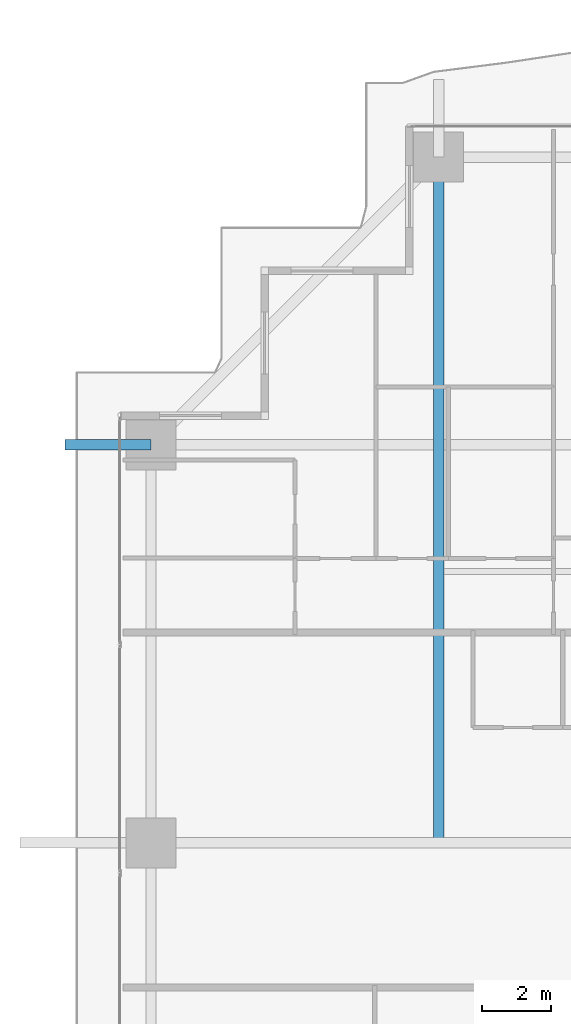
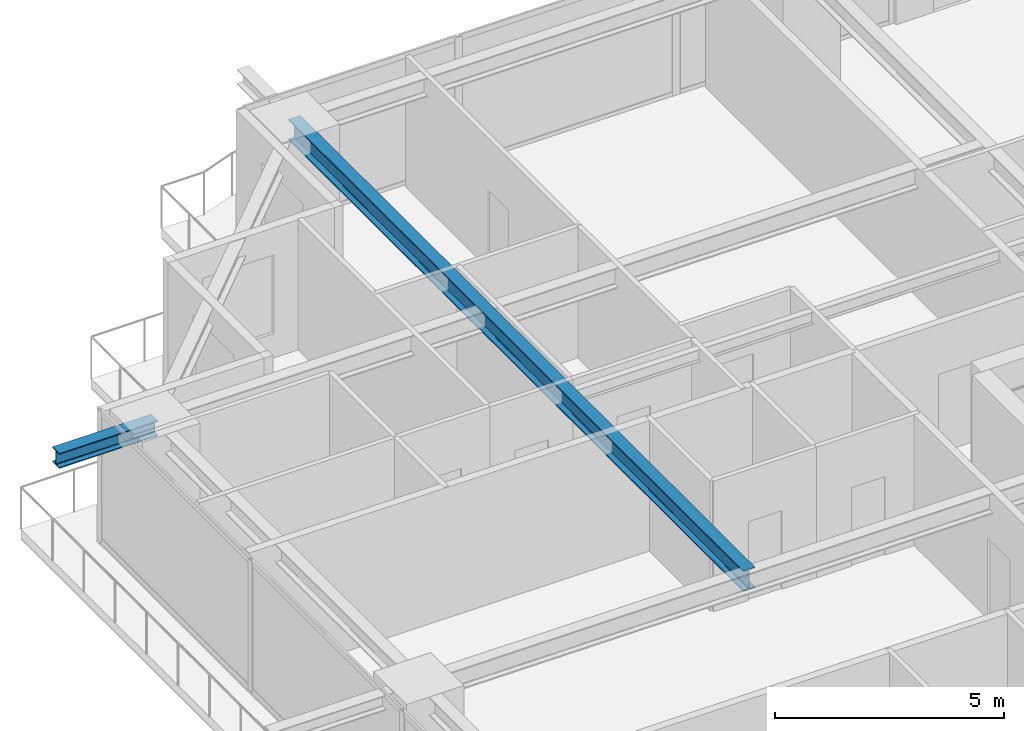
# One storey, part 17 of 38: 2 beams.
"""IFC4 building model written with IfcOpenShell, lengths in metres."""

from ifc_helpers import new_model, si_unit, direction, frame, origin, origin_2d, place, context, subcontext, project, spatial, i_section, extrude, source, transform, mapped, material, material_profile, profile_set, type_object, element, save


model = new_model("IFC4")

# Units and contexts
model_context = context("Model", 3, precision=1e-05, world=origin(), true_north=direction((0.0, 1.0)))
body_context = subcontext(model_context, "Body", "Model", "MODEL_VIEW")
ifc_project = project(units=[si_unit("LENGTHUNIT", "METRE"), si_unit("AREAUNIT", "SQUARE_METRE"), si_unit("VOLUMEUNIT", "CUBIC_METRE"), si_unit("PLANEANGLEUNIT", "RADIAN"), si_unit("MASSUNIT", "GRAM", prefix="KILO")], contexts=[model_context])

# Site, building, storey
site_placement = place(None, origin())
site = spatial("IfcSite", under=ifc_project, at=site_placement, CompositionType="ELEMENT")
building_placement = place(site_placement, origin())
building = spatial("IfcBuilding", under=site, at=building_placement, Name="Serunith Strait Residences", CompositionType="ELEMENT")
storey_placement = place(building_placement, frame((0.0, 0.0, 37.949951171875)))
storey = spatial("IfcBuildingStorey", under=building, at=storey_placement, Name="L08", CompositionType="ELEMENT", Elevation=37.949951171875)

# Beams
ifc_material = material(Name="Steel S355J2", Category="steel")
ifc_material_profile_1 = material_profile(ifc_material, i_section(OverallWidth=0.300048828125, OverallDepth=0.550048828125, WebThickness=0.014892578125, FlangeThickness=0.029052734375, FilletRadius=0.027099609375, at=origin_2d()), Name="HEB 550")
ifc_profile_set_1 = profile_set([ifc_material_profile_1], Name="Steel S355J2")
beam_type_1 = type_object("IfcBeamType", Name="BM-HEB550", PredefinedType="BEAM", material=ifc_profile_set_1)
shared_shape_1 = source(origin(), body_context, "Body", "SweptSolid", [
    extrude(i_section(OverallWidth=0.300048828125, OverallDepth=0.550048828125, WebThickness=0.014892578125, FlangeThickness=0.029052734375, FilletRadius=0.027099609375, at=origin_2d()), origin(), (0.0, 0.0, 1.0), 19.900146484375),
])
beam_1_placement = place(storey_placement, frame((15.25, 29.39990234375, 3.212158203125), z_axis=(0.0, 1.0, 0.0), x_axis=(-1.0, 0.0, 0.0)))
element("IfcBeam", 1, at=beam_1_placement, inside=storey, type_object=beam_type_1, Name="L08 Orthogonal Corner Girder TC-N1", PredefinedType="BEAM", context=body_context, shape_type="MappedRepresentation", body=[
    mapped(shared_shape_1, transform((0.0, 0.0, 0.0), scale=1.0)),
])
ifc_material_profile_2 = material_profile(ifc_material, i_section(OverallWidth=0.300048828125, OverallDepth=0.39990234375, WebThickness=0.013427734375, FlangeThickness=0.02392578125, FilletRadius=0.027099609375, at=origin_2d()), Name="HEB 400")
ifc_profile_set_2 = profile_set([ifc_material_profile_2], Name="Steel S355J2")
beam_type_2 = type_object("IfcBeamType", Name="BM-HEB400", PredefinedType="BEAM", material=ifc_profile_set_2)
shared_shape_2 = source(origin(), body_context, "Body", "SweptSolid", [
    extrude(i_section(OverallWidth=0.300048828125, OverallDepth=0.39990234375, WebThickness=0.013427734375, FlangeThickness=0.02392578125, FilletRadius=0.027099609375, at=origin_2d()), origin(), (0.0, 0.0, 1.0), 2.498291015625),
])
beam_2_placement = place(storey_placement, frame((6.89990234375, 40.949951171875, 3.257080078125), z_axis=(-1.0, 0.0, 0.0), x_axis=(0.0, -1.0, 0.0)))
element("IfcBeam", 2, at=beam_2_placement, inside=storey, type_object=beam_type_2, Name="L09 Cantilevered Balcony Rib TC-W4", PredefinedType="BEAM", context=body_context, shape_type="MappedRepresentation", body=[
    mapped(shared_shape_2, transform((0.0, 0.0, 0.0), scale=1.0)),
])

save(model, "model.ifc")
